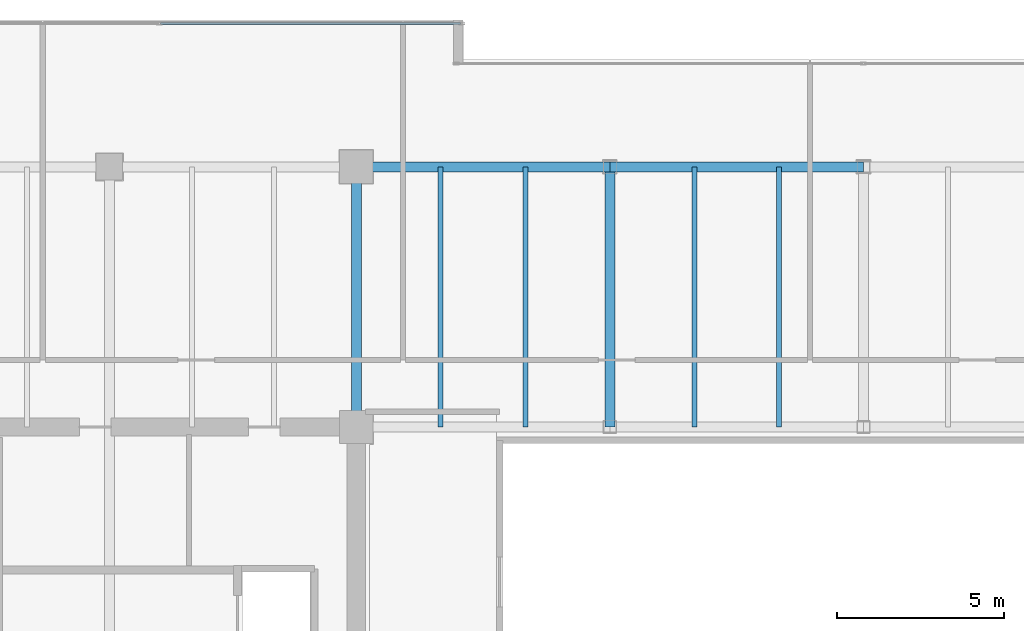
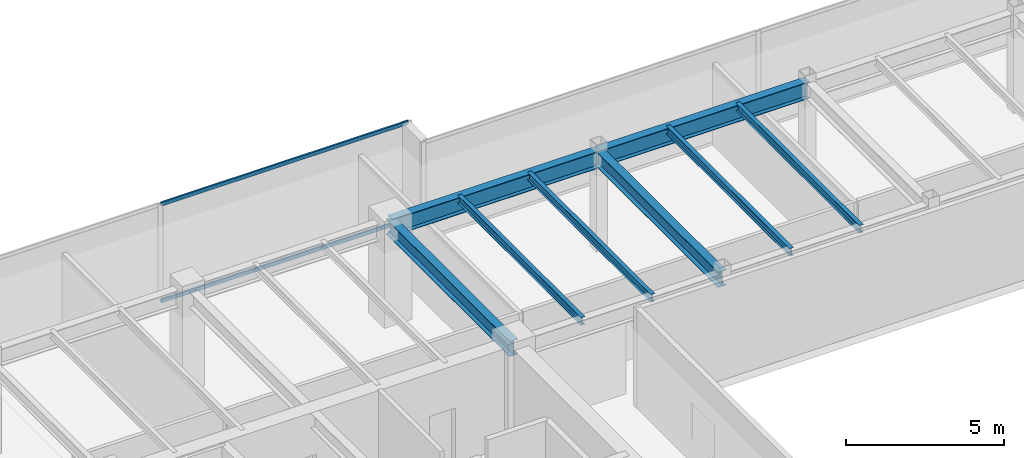
# One storey, part 16 of 35: 8 beams, 2 members, 1 element without a shape of its own.
"""IFC4 building model written with IfcOpenShell, lengths in metres."""

from ifc_helpers import new_model, si_unit, direction, frame, origin, origin_2d, place, context, subcontext, project, spatial, hollow_rectangle, i_section, extrude, source, transform, mapped, material, layer, layer_set, material_profile, profile_set, type_object, type_shapes, element, aggregate, save


model = new_model("IFC4")

# Units and contexts
model_context = context("Model", 3, precision=1e-05, world=origin(), true_north=direction((0.0, 1.0)))
body_context = subcontext(model_context, "Body", "Model", "MODEL_VIEW")
ifc_project = project(units=[si_unit("LENGTHUNIT", "METRE"), si_unit("AREAUNIT", "SQUARE_METRE"), si_unit("VOLUMEUNIT", "CUBIC_METRE"), si_unit("PLANEANGLEUNIT", "RADIAN"), si_unit("MASSUNIT", "GRAM", prefix="KILO")], contexts=[model_context])

# Site, building, storey
site_placement = place(None, origin())
site = spatial("IfcSite", under=ifc_project, at=site_placement, CompositionType="ELEMENT")
building_placement = place(site_placement, origin())
building = spatial("IfcBuilding", under=site, at=building_placement, Name="Haelvirn Gate Laboratories", CompositionType="ELEMENT")
storey_placement = place(building_placement, frame((0.0, 0.0, 234.199951171875)))
storey = spatial("IfcBuildingStorey", under=building, at=storey_placement, Name="L56", CompositionType="ELEMENT", Elevation=234.199951171875)

# Beams
ifc_material_1 = material(Name="Steel SM355", Category="steel")
ifc_material_profile_1 = material_profile(ifc_material_1, i_section(OverallWidth=0.14990234375, OverallDepth=0.300048828125, WebThickness=0.006591796875, FlangeThickness=0.009033203125, at=origin_2d()), Name="H-300x150x6.5x9")
ifc_profile_set_1 = profile_set([ifc_material_profile_1], Name="Steel SM355")
beam_type_1 = type_object("IfcBeamType", Name="BM-J-300", PredefinedType="JOIST", material=ifc_profile_set_1)
shared_shape_1 = source(origin(), body_context, "Body", "SweptSolid", [
    extrude(i_section(OverallWidth=0.14990234375, OverallDepth=0.300048828125, WebThickness=0.006591796875, FlangeThickness=0.009033203125, at=origin_2d()), origin(), (0.0, 0.0, 1.0), 7.800048828125),
])
type_shapes(beam_type_1, [shared_shape_1])
for number, where, z_axis, x_axis, name in (
    (1, (24.72998046875, 33.800048828125, 3.650146484375), (0.0, 1.0, 0.0), (-1.0, 0.0, 0.0), "L56 Composite Lab Joist North X24.73"),
    (2, (27.27001953125, 33.800048828125, 3.650146484375), (0.0, 1.0, 0.0), (-1.0, 0.0, 0.0), "L56 Composite Lab Joist North X27.27"),
    (3, (32.330078125, 33.800048828125, 3.650146484375), (0.0, 1.0, 0.0), (-1.0, 0.0, 0.0), "L56 Composite Lab Joist North X32.33"),
    (4, (34.8701171875, 33.800048828125, 3.650146484375), (0.0, 1.0, 0.0), (-1.0, 0.0, 0.0), "L56 Composite Lab Joist North X34.87"),
):
    element("IfcBeam", number, at=place(storey_placement, frame(where, z_axis=z_axis, x_axis=x_axis)), inside=storey, type_object=beam_type_1, Name=name, PredefinedType="JOIST", context=body_context, shape_type="MappedRepresentation", body=[
        mapped(shared_shape_1, transform((0.0, 0.0, 0.0), scale=1.0)),
    ])
ifc_material_profile_2 = material_profile(ifc_material_1, i_section(OverallWidth=0.300048828125, OverallDepth=0.587890625, WebThickness=0.011962890625, FlangeThickness=0.02001953125, at=origin_2d()), Name="H-588x300x12x20")
ifc_profile_set_2 = profile_set([ifc_material_profile_2], Name="Steel SM355")
beam_type_2 = type_object("IfcBeamType", Name="BM-G-588", PredefinedType="BEAM", material=ifc_profile_set_2)
shared_shape_2 = source(origin(), body_context, "Body", "SweptSolid", [
    extrude(i_section(OverallWidth=0.300048828125, OverallDepth=0.587890625, WebThickness=0.011962890625, FlangeThickness=0.02001953125, at=origin_2d()), origin(), (0.0, 0.0, 1.0), 7.800048828125),
])
type_shapes(beam_type_2, [shared_shape_2])
for number, where, z_axis, x_axis, name in (
    (5, (22.199951171875, 33.800048828125, 3.506103515625), (0.0, 1.0, 0.0), (-1.0, 0.0, 0.0), "L56 Frame Girder X22.2 (33.8-41.6)"),
    (6, (29.800048828125, 33.800048828125, 3.506103515625), (0.0, 1.0, 0.0), (-1.0, 0.0, 0.0), "L56 Frame Girder X29.8 (33.8-41.6)"),
):
    element("IfcBeam", number, at=place(storey_placement, frame(where, z_axis=z_axis, x_axis=x_axis)), inside=storey, type_object=beam_type_2, Name=name, PredefinedType="BEAM", context=body_context, shape_type="MappedRepresentation", body=[
        mapped(shared_shape_2, transform((0.0, 0.0, 0.0), scale=1.0)),
    ])
ifc_material_profile_3 = material_profile(ifc_material_1, i_section(OverallWidth=0.300048828125, OverallDepth=0.64990234375, WebThickness=0.012939453125, FlangeThickness=0.02197265625, at=origin_2d()), Name="H-650x300x13x22")
ifc_profile_set_3 = profile_set([ifc_material_profile_3], Name="Steel SM355")
beam_type_3 = type_object("IfcBeamType", Name="BM-G-650", PredefinedType="BEAM", material=ifc_profile_set_3)
shared_shape_3 = source(origin(), body_context, "Body", "SweptSolid", [
    extrude(i_section(OverallWidth=0.300048828125, OverallDepth=0.64990234375, WebThickness=0.012939453125, FlangeThickness=0.02197265625, at=origin_2d()), origin(), (0.0, 0.0, 1.0), 7.60009765625),
])
beam_1_placement = place(storey_placement, frame((22.199951171875, 41.60009765625, 3.47509765625), z_axis=(1.0, 0.0, 0.0), x_axis=(0.0, 1.0, 0.0)))
element("IfcBeam", 7, at=beam_1_placement, inside=storey, type_object=beam_type_3, Name="L56 Primary Girder Y41.6 (22.2-29.8)", PredefinedType="BEAM", context=body_context, shape_type="MappedRepresentation", body=[
    mapped(shared_shape_3, transform((0.0, 0.0, 0.0), scale=1.0)),
])
shared_shape_4 = source(origin(), body_context, "Body", "SweptSolid", [
    extrude(i_section(OverallWidth=0.300048828125, OverallDepth=0.64990234375, WebThickness=0.012939453125, FlangeThickness=0.02197265625, at=origin_2d()), origin(), (0.0, 0.0, 1.0), 7.599853515625),
])
type_shapes(beam_type_3, [shared_shape_3, shared_shape_4])
beam_2_placement = place(storey_placement, frame((29.800048828125, 41.60009765625, 3.47509765625), z_axis=(1.0, 0.0, 0.0), x_axis=(0.0, 1.0, 0.0)))
element("IfcBeam", 8, at=beam_2_placement, inside=storey, type_object=beam_type_3, Name="L56 Primary Girder Y41.6 (29.8-37.4)", PredefinedType="BEAM", context=body_context, shape_type="MappedRepresentation", body=[
    mapped(shared_shape_4, transform((0.0, 0.0, 0.0), scale=1.0)),
])

# Curtain wall, members
ifc_material_2 = material(Name="Anodised bronze unitised aluminium & triple low-E glass", Category="aluminium")
ifc_layer = layer(ifc_material_2, 0.176025390625, Name="CW-SYS-4")
ifc_layer_set = layer_set([ifc_layer], Name="Anodised bronze unitised aluminium & triple low-E glass")
curtain_wall_type = type_object("IfcCurtainWallType", Name="CW-SYS-4", PredefinedType="NOTDEFINED", material=ifc_layer_set)
curtain_wall_placement = place(storey_placement, origin())
curtain_wall = element("IfcCurtainWall", 9, at=curtain_wall_placement, inside=storey, type_object=curtain_wall_type, Name="L56 Unitised Curtain Wall CW-L56-P0-E14-1", PredefinedType="NOTDEFINED")
ifc_material_3 = material(Name="Extruded aluminium 6063-T6 (anodised bronze)", Category="aluminium")
ifc_material_profile_4 = material_profile(ifc_material_3, hollow_rectangle(XDim=0.06494140625, YDim=0.139892578125, WallThickness=0.00390625, at=origin_2d()), Name="CWT-140x65x4")
ifc_profile_set_4 = profile_set([ifc_material_profile_4], Name="Extruded aluminium 6063-T6 (anodised bronze)")
member_type = type_object("IfcMemberType", Name="CWT-T140", PredefinedType="USERDEFINED", material=ifc_profile_set_4)
shared_shape_5 = source(origin(), body_context, "Body", "SweptSolid", [
    extrude(hollow_rectangle(XDim=0.06494140625, YDim=0.139892578125, WallThickness=0.00390625, at=origin_2d()), origin(), (0.0, 0.0, 1.0), 8.9951171875),
])
type_shapes(member_type, [shared_shape_5])
member_1_placement = place(storey_placement, frame((16.3349609375, 45.89990234375, 0.032470703125), z_axis=(1.0, 0.0, 0.0), x_axis=(0.0, 1.0, 0.0)))
member_1 = element("IfcMember", 10, at=member_1_placement, type_object=member_type, Name="CW4 transom 2.1", ObjectType="TRANSOM", PredefinedType="USERDEFINED", context=body_context, shape_type="MappedRepresentation", body=[
    mapped(shared_shape_5, transform((0.0, 0.0, 0.0), scale=1.0)),
])
member_2_placement = place(storey_placement, frame((16.3349609375, 45.89990234375, 3.767578125), z_axis=(1.0, 0.0, 0.0), x_axis=(0.0, 1.0, 0.0)))
member_2 = element("IfcMember", 11, at=member_2_placement, type_object=member_type, Name="CW4 transom 2.2", ObjectType="TRANSOM", PredefinedType="USERDEFINED", context=body_context, shape_type="MappedRepresentation", body=[
    mapped(shared_shape_5, transform((0.0, 0.0, 0.0), scale=1.0)),
])
aggregate(curtain_wall, [member_1, member_2])

save(model, "model.ifc")
